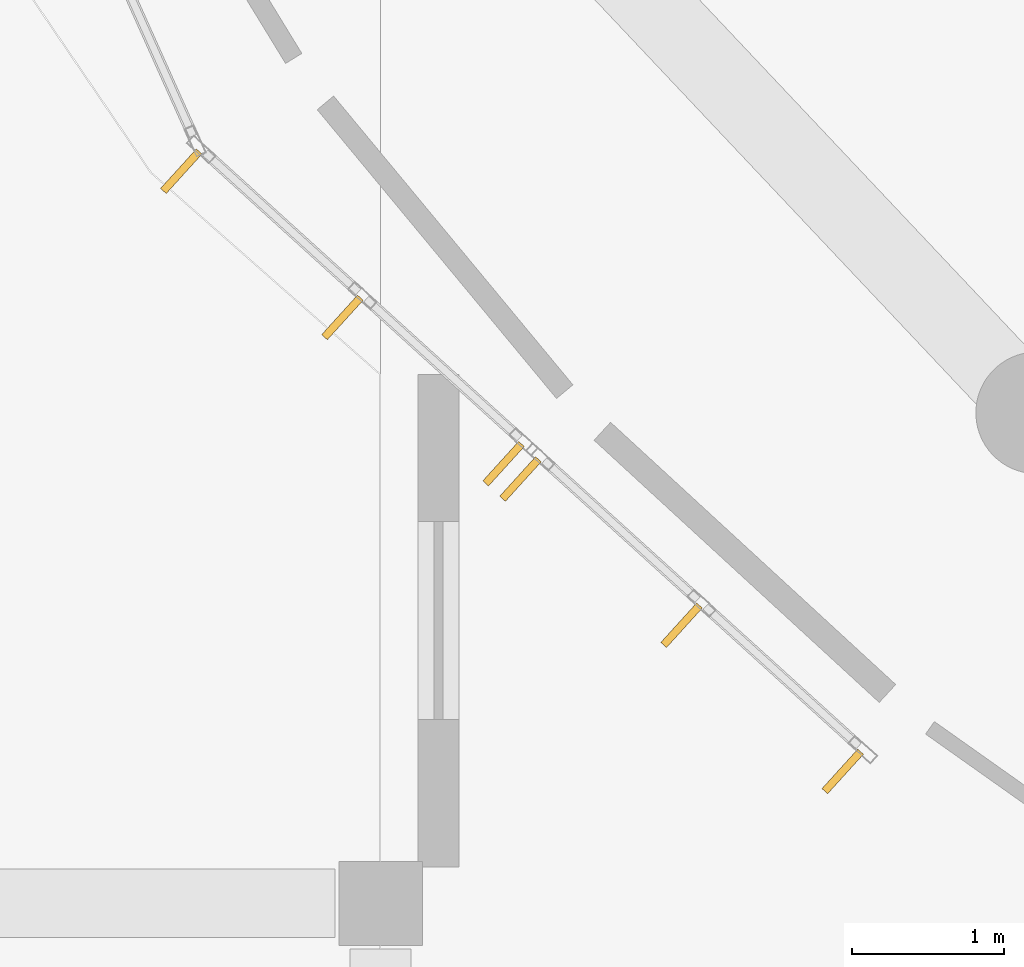
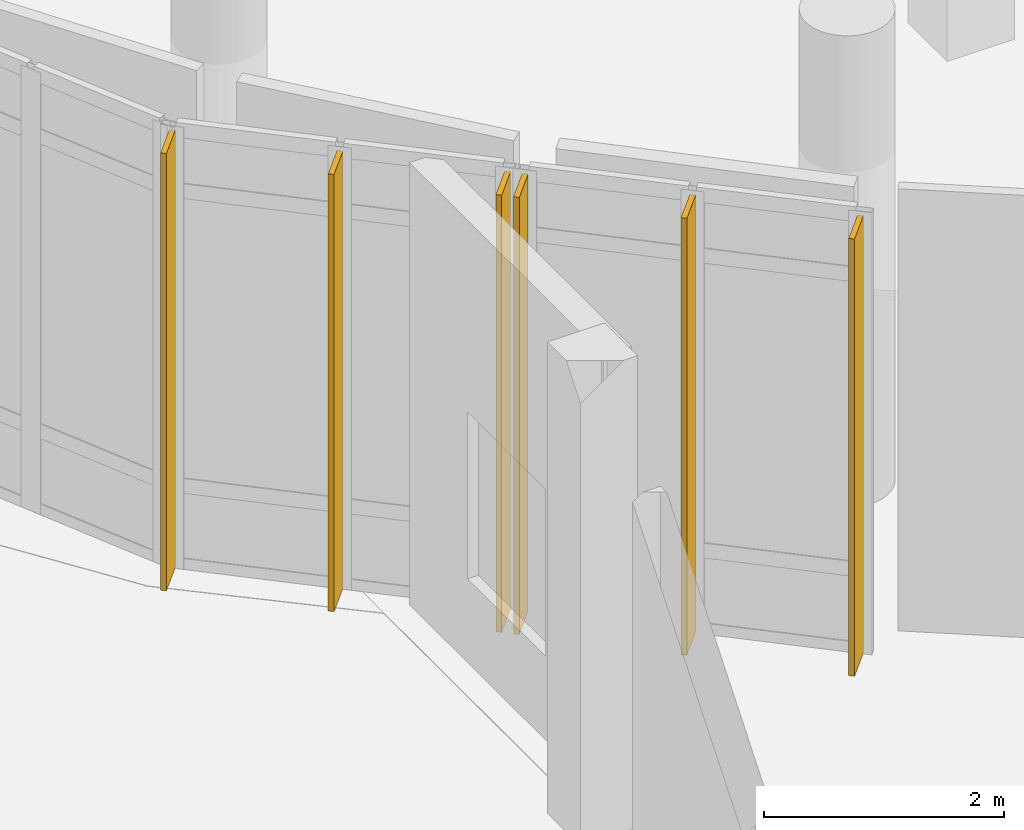
# One storey, part 50 of 63: 6 shading devices.
"""IFC4 building model written with IfcOpenShell, lengths in metres."""

from ifc_helpers import new_model, si_unit, derived_unit, direction, frame, origin, origin_2d, place, context, subcontext, project, spatial, rectangle, extrude, material, type_object, element, save


model = new_model("IFC4")

# Units and contexts
model_context = context("Model", 3, precision=1e-05, world=origin(), true_north=direction((0.0, 1.0)))
body_context = subcontext(model_context, "Body", "Model", "MODEL_VIEW")
ifc_project = project(units=[si_unit("LENGTHUNIT", "METRE"), si_unit("AREAUNIT", "SQUARE_METRE"), si_unit("VOLUMEUNIT", "CUBIC_METRE"), si_unit("PLANEANGLEUNIT", "RADIAN"), si_unit("MASSUNIT", "GRAM", prefix="KILO"), derived_unit("THERMALTRANSMITTANCEUNIT", [(si_unit("POWERUNIT", "WATT"), 1), (si_unit("LENGTHUNIT", "METRE"), -2), (si_unit("THERMODYNAMICTEMPERATUREUNIT", "KELVIN"), -1)])], contexts=[model_context])

# Site, building, storey
site_placement = place(None, origin())
site = spatial("IfcSite", under=ifc_project, at=site_placement, CompositionType="ELEMENT")
building_placement = place(site_placement, origin())
building = spatial("IfcBuilding", under=site, at=building_placement, Name="Elbkamm Science Centre", CompositionType="ELEMENT")
storey_placement = place(building_placement, frame((0.0, 0.0, 5.10009765625)))
storey = spatial("IfcBuildingStorey", under=building, at=storey_placement, Name="L01", CompositionType="ELEMENT", Elevation=5.10009765625)

# Shading devices
ifc_material = material(Name="Terracotta-ochre powder-coated aluminium EN AW-6060", Category="masonry")
shading_device_type = type_object("IfcShadingDeviceType", Name="SHD-LOUVRE-420", PredefinedType="USERDEFINED", material=ifc_material)
for number, where, z_axis, x_axis, name in (
    (1, (40.68994140625, 55.212158203125, 0.0), (0.0, 0.0, 1.0), (-0.671993355782, -0.740557175231, 0.0), "L01 Brise-Soleil Sunshade Fin 0024"),
    (2, (41.7490234375, 54.251220703125, 0.0), (0.0, 0.0, 1.0), (-0.671993355782, -0.740557175231, 0.0), "L01 Brise-Soleil Sunshade Fin 0025"),
    (3, (42.80810546875, 53.2900390625, 0.0), (0.0, 0.0, 1.0), (-0.671993355782, -0.740557175231, 0.0), "L01 Brise-Soleil Sunshade Fin 0026"),
    (4, (42.919189453125, 53.189208984375, 0.0), (0.0, 0.0, 1.0), (-0.671993355782, -0.740557175231, 0.0), "L01 Brise-Soleil Sunshade Fin 0027"),
    (5, (43.97802734375, 52.228271484375, 0.0), (0.0, 0.0, 1.0), (-0.671993355782, -0.740557175231, 0.0), "L01 Brise-Soleil Sunshade Fin 0028"),
    (6, (45.037109375, 51.267333984375, 0.0), (0.0, 0.0, 1.0), (-0.671993355782, -0.740557175231, 0.0), "L01 Brise-Soleil Sunshade Fin 0029"),
):
    element("IfcShadingDevice", number, at=place(storey_placement, frame(where, z_axis=z_axis, x_axis=x_axis)), inside=storey, type_object=shading_device_type, Name=name, ObjectType="LOUVRE", PredefinedType="USERDEFINED", context=body_context, shape_type="SweptSolid", body=[
        extrude(rectangle(XDim=0.35009765625, YDim=0.050048828125, at=origin_2d()), origin(), (0.0, 0.0, 1.0), 4.449951171875),
    ])

save(model, "model.ifc")
